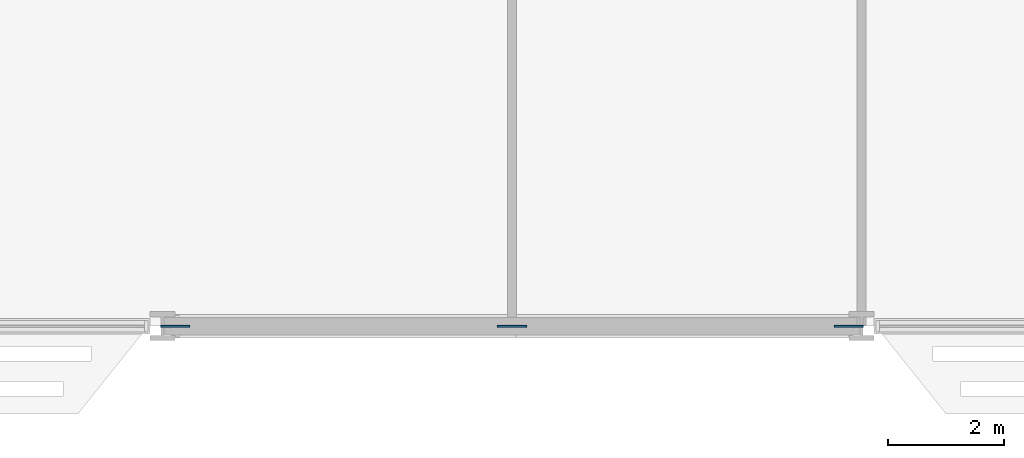
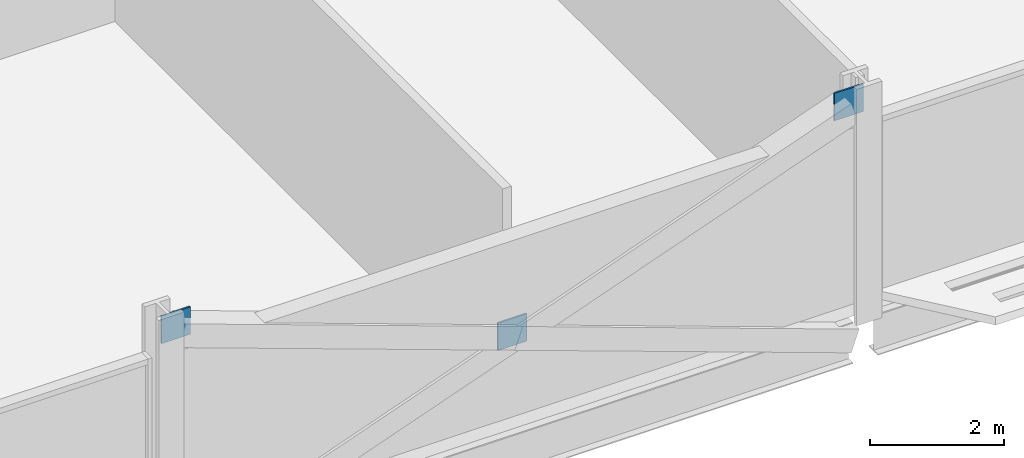
# One storey, part 18 of 29: 3 discrete accessories.
"""IFC4 building model written with IfcOpenShell, lengths in metres."""

from ifc_helpers import new_model, si_unit, direction, frame, origin, origin_2d, place, context, subcontext, project, spatial, rectangle, extrude, material, layer, layer_set, type_object, element, save


model = new_model("IFC4")

# Units and contexts
model_context = context("Model", 3, precision=1e-05, world=origin(), true_north=direction((0.0, 1.0)))
body_context = subcontext(model_context, "Body", "Model", "MODEL_VIEW")
ifc_project = project(units=[si_unit("LENGTHUNIT", "METRE"), si_unit("AREAUNIT", "SQUARE_METRE"), si_unit("VOLUMEUNIT", "CUBIC_METRE"), si_unit("PLANEANGLEUNIT", "RADIAN"), si_unit("MASSUNIT", "GRAM", prefix="KILO")], contexts=[model_context])

# Site, building, storey
site_placement = place(None, origin())
site = spatial("IfcSite", under=ifc_project, at=site_placement, CompositionType="ELEMENT")
building_placement = place(site_placement, origin())
building = spatial("IfcBuilding", under=site, at=building_placement, Name="Mahtab Terrace Research Tower", CompositionType="ELEMENT")
storey_placement = place(building_placement, frame((0.0, 0.0, 20.10009765625)))
storey = spatial("IfcBuildingStorey", under=building, at=storey_placement, Name="L04", CompositionType="ELEMENT", Elevation=20.10009765625)

# Discrete accessories
ifc_material = material(Name="Steel ASTM A992 Gr 50", Category="steel")
ifc_layer = layer(ifc_material, 0.030029296875)
ifc_layer_set = layer_set([ifc_layer], Name="Gusset plate 500x500x30")
discrete_accessory_type = type_object("IfcDiscreteAccessoryType", Name="Gusset plate 500x500x30", PredefinedType="USERDEFINED", material=ifc_layer_set)
for number, where, z_axis, x_axis, name in (
    (1, (-5.7841796875, -23.0, 3.331298828125), (0.0, 0.0, 1.0), (1.0, 0.0, 0.0), "Gusset plate"),
    (2, (0.0, -23.0, 1.181396484375), (0.0, 0.0, 1.0), (1.0, 0.0, 0.0), "Gusset plate"),
    (3, (5.7841796875, -23.0, 3.331298828125), (0.0, 0.0, 1.0), (1.0, 0.0, 0.0), "Gusset plate"),
):
    element("IfcDiscreteAccessory", number, at=place(storey_placement, frame(where, z_axis=z_axis, x_axis=x_axis)), inside=storey, type_object=discrete_accessory_type, Name=name, ObjectType="GUSSET PLATE", PredefinedType="USERDEFINED", context=body_context, shape_type="SweptSolid", body=[
        extrude(rectangle(XDim=0.5, YDim=0.030029296875, at=origin_2d()), origin(), (0.0, 0.0, 1.0), 0.5),
    ])

save(model, "model.ifc")
